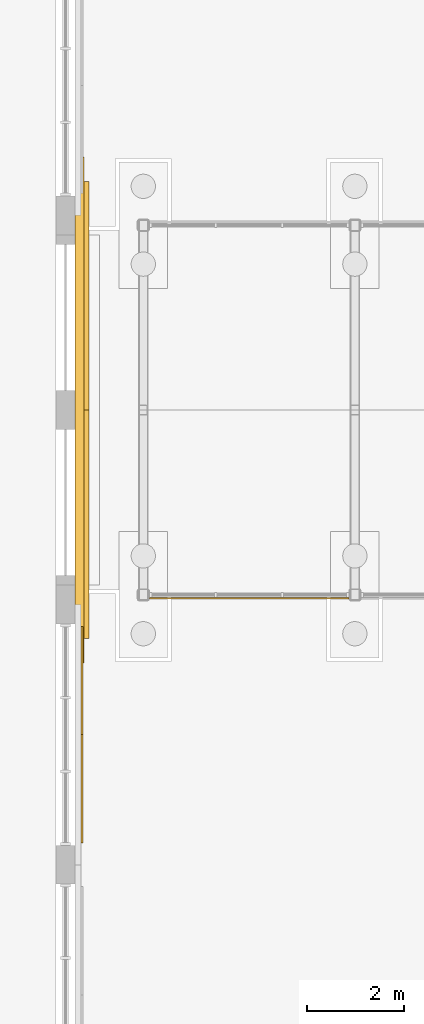
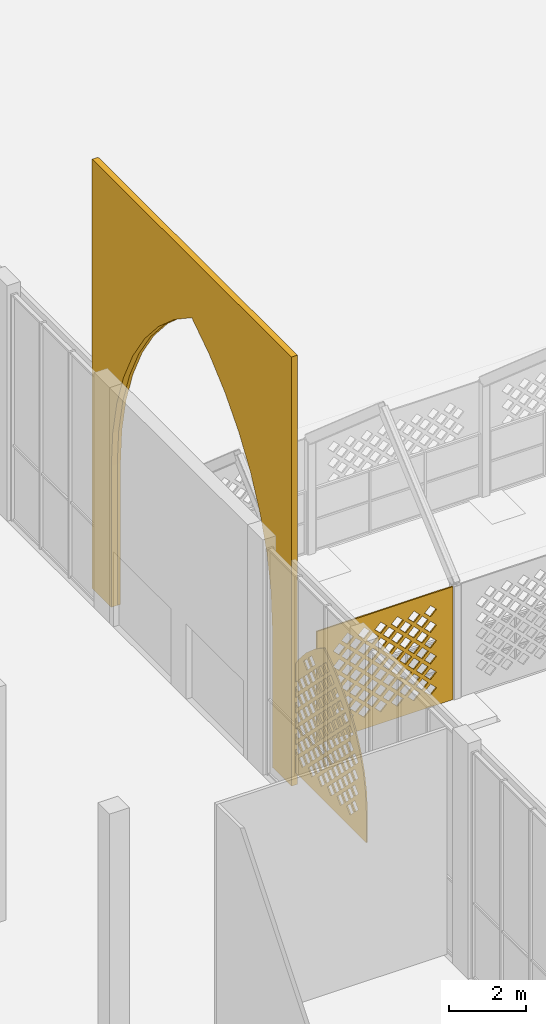
# One storey, part 59 of 79: 4 coverings.
"""IFC4 building model written with IfcOpenShell, lengths in metres."""

from ifc_helpers import new_model, si_unit, direction, frame, origin, place, context, subcontext, project, spatial, polyline, outline, extrude, material, layer, layer_set, type_object, element, save


model = new_model("IFC4")

# Units and contexts
model_context = context("Model", 3, precision=1e-05, world=origin(), true_north=direction((0.0, 1.0)))
body_context = subcontext(model_context, "Body", "Model", "MODEL_VIEW")
ifc_project = project(units=[si_unit("LENGTHUNIT", "METRE"), si_unit("AREAUNIT", "SQUARE_METRE"), si_unit("VOLUMEUNIT", "CUBIC_METRE"), si_unit("PLANEANGLEUNIT", "RADIAN"), si_unit("MASSUNIT", "GRAM", prefix="KILO")], contexts=[model_context])

# Site, building, storey
site_placement = place(None, origin())
site = spatial("IfcSite", under=ifc_project, at=site_placement, CompositionType="ELEMENT")
building_placement = place(site_placement, origin())
building = spatial("IfcBuilding", under=site, at=building_placement, Name="Noorbagh Ring Tower", CompositionType="ELEMENT")
storey_placement = place(building_placement, origin())
storey = spatial("IfcBuildingStorey", under=building, at=storey_placement, Name="L00", CompositionType="ELEMENT", Elevation=0.0)

# Coverings
ifc_material_1 = material(Name="Red sandstone jali", Category="masonry")
ifc_layer_1 = layer(ifc_material_1, 0.0400390625)
ifc_layer_set_1 = layer_set([ifc_layer_1], Name="Red sandstone jali")
covering_type_1 = type_object("IfcCoveringType", Name="AR-JALI", PredefinedType="USERDEFINED", material=ifc_layer_set_1)
covering_1_placement = place(storey_placement, frame((-93.47509765625, 1.110107421875, 0.0), z_axis=(0.0, -1.0, 0.0), x_axis=(1.0, 0.0, 0.0)))
element("IfcCovering", 1, at=covering_1_placement, inside=storey, type_object=covering_type_1, Name="Jali screen", ObjectType="SCREEN", PredefinedType="USERDEFINED", context=body_context, shape_type="SweptSolid", body=[
    extrude(outline(polyline([(0.0, 0.0), (4.10009765625, 0.0), (4.10009765625, 3.60009765625), (0.0, 3.60009765625), (0.0, 0.0)]), holes=[polyline([(0.7451171875, 0.550048828125), (0.925048828125, 0.3701171875), (1.10498046875, 0.550048828125), (0.925048828125, 0.72998046875), (0.7451171875, 0.550048828125)]), polyline([(1.2451171875, 0.550048828125), (1.425048828125, 0.3701171875), (1.60498046875, 0.550048828125), (1.425048828125, 0.72998046875), (1.2451171875, 0.550048828125)]), polyline([(1.7451171875, 0.550048828125), (1.925048828125, 0.3701171875), (2.10498046875, 0.550048828125), (1.925048828125, 0.72998046875), (1.7451171875, 0.550048828125)]), polyline([(2.2451171875, 0.550048828125), (2.425048828125, 0.3701171875), (2.60498046875, 0.550048828125), (2.425048828125, 0.72998046875), (2.2451171875, 0.550048828125)]), polyline([(2.7451171875, 0.550048828125), (2.925048828125, 0.3701171875), (3.10498046875, 0.550048828125), (2.925048828125, 0.72998046875), (2.7451171875, 0.550048828125)]), polyline([(3.2451171875, 0.550048828125), (3.425048828125, 0.3701171875), (3.60498046875, 0.550048828125), (3.425048828125, 0.72998046875), (3.2451171875, 0.550048828125)]), polyline([(0.4951171875, 0.800048828125), (0.675048828125, 0.6201171875), (0.85498046875, 0.800048828125), (0.675048828125, 0.97998046875), (0.4951171875, 0.800048828125)]), polyline([(0.9951171875, 0.800048828125), (1.175048828125, 0.6201171875), (1.35498046875, 0.800048828125), (1.175048828125, 0.97998046875), (0.9951171875, 0.800048828125)]), polyline([(1.4951171875, 0.800048828125), (1.675048828125, 0.6201171875), (1.85498046875, 0.800048828125), (1.675048828125, 0.97998046875), (1.4951171875, 0.800048828125)]), polyline([(1.9951171875, 0.800048828125), (2.175048828125, 0.6201171875), (2.35498046875, 0.800048828125), (2.175048828125, 0.97998046875), (1.9951171875, 0.800048828125)]), polyline([(2.4951171875, 0.800048828125), (2.675048828125, 0.6201171875), (2.85498046875, 0.800048828125), (2.675048828125, 0.97998046875), (2.4951171875, 0.800048828125)]), polyline([(2.9951171875, 0.800048828125), (3.175048828125, 0.6201171875), (3.35498046875, 0.800048828125), (3.175048828125, 0.97998046875), (2.9951171875, 0.800048828125)]), polyline([(0.7451171875, 1.050048828125), (0.925048828125, 0.8701171875), (1.10498046875, 1.050048828125), (0.925048828125, 1.22998046875), (0.7451171875, 1.050048828125)]), polyline([(1.2451171875, 1.050048828125), (1.425048828125, 0.8701171875), (1.60498046875, 1.050048828125), (1.425048828125, 1.22998046875), (1.2451171875, 1.050048828125)]), polyline([(1.7451171875, 1.050048828125), (1.925048828125, 0.8701171875), (2.10498046875, 1.050048828125), (1.925048828125, 1.22998046875), (1.7451171875, 1.050048828125)]), polyline([(2.2451171875, 1.050048828125), (2.425048828125, 0.8701171875), (2.60498046875, 1.050048828125), (2.425048828125, 1.22998046875), (2.2451171875, 1.050048828125)]), polyline([(2.7451171875, 1.050048828125), (2.925048828125, 0.8701171875), (3.10498046875, 1.050048828125), (2.925048828125, 1.22998046875), (2.7451171875, 1.050048828125)]), polyline([(3.2451171875, 1.050048828125), (3.425048828125, 0.8701171875), (3.60498046875, 1.050048828125), (3.425048828125, 1.22998046875), (3.2451171875, 1.050048828125)]), polyline([(0.4951171875, 1.300048828125), (0.675048828125, 1.1201171875), (0.85498046875, 1.300048828125), (0.675048828125, 1.47998046875), (0.4951171875, 1.300048828125)]), polyline([(0.9951171875, 1.300048828125), (1.175048828125, 1.1201171875), (1.35498046875, 1.300048828125), (1.175048828125, 1.47998046875), (0.9951171875, 1.300048828125)]), polyline([(1.4951171875, 1.300048828125), (1.675048828125, 1.1201171875), (1.85498046875, 1.300048828125), (1.675048828125, 1.47998046875), (1.4951171875, 1.300048828125)]), polyline([(1.9951171875, 1.300048828125), (2.175048828125, 1.1201171875), (2.35498046875, 1.300048828125), (2.175048828125, 1.47998046875), (1.9951171875, 1.300048828125)]), polyline([(2.4951171875, 1.300048828125), (2.675048828125, 1.1201171875), (2.85498046875, 1.300048828125), (2.675048828125, 1.47998046875), (2.4951171875, 1.300048828125)]), polyline([(2.9951171875, 1.300048828125), (3.175048828125, 1.1201171875), (3.35498046875, 1.300048828125), (3.175048828125, 1.47998046875), (2.9951171875, 1.300048828125)]), polyline([(0.7451171875, 1.550048828125), (0.925048828125, 1.3701171875), (1.10498046875, 1.550048828125), (0.925048828125, 1.72998046875), (0.7451171875, 1.550048828125)]), polyline([(1.2451171875, 1.550048828125), (1.425048828125, 1.3701171875), (1.60498046875, 1.550048828125), (1.425048828125, 1.72998046875), (1.2451171875, 1.550048828125)]), polyline([(1.7451171875, 1.550048828125), (1.925048828125, 1.3701171875), (2.10498046875, 1.550048828125), (1.925048828125, 1.72998046875), (1.7451171875, 1.550048828125)]), polyline([(2.2451171875, 1.550048828125), (2.425048828125, 1.3701171875), (2.60498046875, 1.550048828125), (2.425048828125, 1.72998046875), (2.2451171875, 1.550048828125)]), polyline([(2.7451171875, 1.550048828125), (2.925048828125, 1.3701171875), (3.10498046875, 1.550048828125), (2.925048828125, 1.72998046875), (2.7451171875, 1.550048828125)]), polyline([(3.2451171875, 1.550048828125), (3.425048828125, 1.3701171875), (3.60498046875, 1.550048828125), (3.425048828125, 1.72998046875), (3.2451171875, 1.550048828125)]), polyline([(0.4951171875, 1.800048828125), (0.675048828125, 1.6201171875), (0.85498046875, 1.800048828125), (0.675048828125, 1.97998046875), (0.4951171875, 1.800048828125)]), polyline([(0.9951171875, 1.800048828125), (1.175048828125, 1.6201171875), (1.35498046875, 1.800048828125), (1.175048828125, 1.97998046875), (0.9951171875, 1.800048828125)]), polyline([(1.4951171875, 1.800048828125), (1.675048828125, 1.6201171875), (1.85498046875, 1.800048828125), (1.675048828125, 1.97998046875), (1.4951171875, 1.800048828125)]), polyline([(1.9951171875, 1.800048828125), (2.175048828125, 1.6201171875), (2.35498046875, 1.800048828125), (2.175048828125, 1.97998046875), (1.9951171875, 1.800048828125)]), polyline([(2.4951171875, 1.800048828125), (2.675048828125, 1.6201171875), (2.85498046875, 1.800048828125), (2.675048828125, 1.97998046875), (2.4951171875, 1.800048828125)]), polyline([(2.9951171875, 1.800048828125), (3.175048828125, 1.6201171875), (3.35498046875, 1.800048828125), (3.175048828125, 1.97998046875), (2.9951171875, 1.800048828125)]), polyline([(0.7451171875, 2.050048828125), (0.925048828125, 1.8701171875), (1.10498046875, 2.050048828125), (0.925048828125, 2.22998046875), (0.7451171875, 2.050048828125)]), polyline([(1.2451171875, 2.050048828125), (1.425048828125, 1.8701171875), (1.60498046875, 2.050048828125), (1.425048828125, 2.22998046875), (1.2451171875, 2.050048828125)]), polyline([(1.7451171875, 2.050048828125), (1.925048828125, 1.8701171875), (2.10498046875, 2.050048828125), (1.925048828125, 2.22998046875), (1.7451171875, 2.050048828125)]), polyline([(2.2451171875, 2.050048828125), (2.425048828125, 1.8701171875), (2.60498046875, 2.050048828125), (2.425048828125, 2.22998046875), (2.2451171875, 2.050048828125)]), polyline([(2.7451171875, 2.050048828125), (2.925048828125, 1.8701171875), (3.10498046875, 2.050048828125), (2.925048828125, 2.22998046875), (2.7451171875, 2.050048828125)]), polyline([(3.2451171875, 2.050048828125), (3.425048828125, 1.8701171875), (3.60498046875, 2.050048828125), (3.425048828125, 2.22998046875), (3.2451171875, 2.050048828125)]), polyline([(0.4951171875, 2.300048828125), (0.675048828125, 2.1201171875), (0.85498046875, 2.300048828125), (0.675048828125, 2.47998046875), (0.4951171875, 2.300048828125)]), polyline([(0.9951171875, 2.300048828125), (1.175048828125, 2.1201171875), (1.35498046875, 2.300048828125), (1.175048828125, 2.47998046875), (0.9951171875, 2.300048828125)]), polyline([(1.4951171875, 2.300048828125), (1.675048828125, 2.1201171875), (1.85498046875, 2.300048828125), (1.675048828125, 2.47998046875), (1.4951171875, 2.300048828125)]), polyline([(1.9951171875, 2.300048828125), (2.175048828125, 2.1201171875), (2.35498046875, 2.300048828125), (2.175048828125, 2.47998046875), (1.9951171875, 2.300048828125)]), polyline([(2.4951171875, 2.300048828125), (2.675048828125, 2.1201171875), (2.85498046875, 2.300048828125), (2.675048828125, 2.47998046875), (2.4951171875, 2.300048828125)]), polyline([(2.9951171875, 2.300048828125), (3.175048828125, 2.1201171875), (3.35498046875, 2.300048828125), (3.175048828125, 2.47998046875), (2.9951171875, 2.300048828125)]), polyline([(0.7451171875, 2.550048828125), (0.925048828125, 2.3701171875), (1.10498046875, 2.550048828125), (0.925048828125, 2.72998046875), (0.7451171875, 2.550048828125)]), polyline([(1.2451171875, 2.550048828125), (1.425048828125, 2.3701171875), (1.60498046875, 2.550048828125), (1.425048828125, 2.72998046875), (1.2451171875, 2.550048828125)]), polyline([(1.7451171875, 2.550048828125), (1.925048828125, 2.3701171875), (2.10498046875, 2.550048828125), (1.925048828125, 2.72998046875), (1.7451171875, 2.550048828125)]), polyline([(2.2451171875, 2.550048828125), (2.425048828125, 2.3701171875), (2.60498046875, 2.550048828125), (2.425048828125, 2.72998046875), (2.2451171875, 2.550048828125)]), polyline([(2.7451171875, 2.550048828125), (2.925048828125, 2.3701171875), (3.10498046875, 2.550048828125), (2.925048828125, 2.72998046875), (2.7451171875, 2.550048828125)]), polyline([(3.2451171875, 2.550048828125), (3.425048828125, 2.3701171875), (3.60498046875, 2.550048828125), (3.425048828125, 2.72998046875), (3.2451171875, 2.550048828125)]), polyline([(0.4951171875, 2.800048828125), (0.675048828125, 2.6201171875), (0.85498046875, 2.800048828125), (0.675048828125, 2.97998046875), (0.4951171875, 2.800048828125)]), polyline([(0.9951171875, 2.800048828125), (1.175048828125, 2.6201171875), (1.35498046875, 2.800048828125), (1.175048828125, 2.97998046875), (0.9951171875, 2.800048828125)]), polyline([(1.4951171875, 2.800048828125), (1.675048828125, 2.6201171875), (1.85498046875, 2.800048828125), (1.675048828125, 2.97998046875), (1.4951171875, 2.800048828125)]), polyline([(1.9951171875, 2.800048828125), (2.175048828125, 2.6201171875), (2.35498046875, 2.800048828125), (2.175048828125, 2.97998046875), (1.9951171875, 2.800048828125)]), polyline([(2.4951171875, 2.800048828125), (2.675048828125, 2.6201171875), (2.85498046875, 2.800048828125), (2.675048828125, 2.97998046875), (2.4951171875, 2.800048828125)]), polyline([(2.9951171875, 2.800048828125), (3.175048828125, 2.6201171875), (3.35498046875, 2.800048828125), (3.175048828125, 2.97998046875), (2.9951171875, 2.800048828125)]), polyline([(0.7451171875, 3.050048828125), (0.925048828125, 2.8701171875), (1.10498046875, 3.050048828125), (0.925048828125, 3.22998046875), (0.7451171875, 3.050048828125)]), polyline([(1.2451171875, 3.050048828125), (1.425048828125, 2.8701171875), (1.60498046875, 3.050048828125), (1.425048828125, 3.22998046875), (1.2451171875, 3.050048828125)]), polyline([(1.7451171875, 3.050048828125), (1.925048828125, 2.8701171875), (2.10498046875, 3.050048828125), (1.925048828125, 3.22998046875), (1.7451171875, 3.050048828125)]), polyline([(2.2451171875, 3.050048828125), (2.425048828125, 2.8701171875), (2.60498046875, 3.050048828125), (2.425048828125, 3.22998046875), (2.2451171875, 3.050048828125)]), polyline([(2.7451171875, 3.050048828125), (2.925048828125, 2.8701171875), (3.10498046875, 3.050048828125), (2.925048828125, 3.22998046875), (2.7451171875, 3.050048828125)]), polyline([(3.2451171875, 3.050048828125), (3.425048828125, 2.8701171875), (3.60498046875, 3.050048828125), (3.425048828125, 3.22998046875), (3.2451171875, 3.050048828125)])]), origin(), (0.0, 0.0, -1.0), 0.0400390625),
])
ifc_material_2 = material(Name="Red sandstone cladding", Category="masonry")
ifc_layer_2 = layer(ifc_material_2, 0.179931640625)
ifc_layer_set_2 = layer_set([ifc_layer_2], Name="Red sandstone cladding")
covering_type_2 = type_object("IfcCoveringType", Name="STH-IWAN", PredefinedType="USERDEFINED", material=ifc_layer_set_2)
covering_2_placement = place(storey_placement, frame((-94.820068359375, -0.199951171875, 0.0), z_axis=(1.0, 0.0, 0.0), x_axis=(0.0, 1.0, 0.0)))
element("IfcCovering", 2, at=covering_2_placement, inside=storey, type_object=covering_type_2, Name="Iwan portal frame", ObjectType="ARCH", PredefinedType="USERDEFINED", context=body_context, shape_type="SweptSolid", body=[
    extrude(outline(polyline([(0.0, 0.0), (1.0, 0.0), (1.0, 4.5), (1.07177734375, 5.596435546875), (1.2861328125, 6.674072265625), (1.639404296875, 7.714599609375), (2.125244140625, 8.699951171875), (2.73583984375, 9.613525390625), (3.460205078125, 10.439697265625), (4.286376953125, 11.164306640625), (5.199951171875, 11.774658203125), (6.113525390625, 11.164306640625), (6.939697265625, 10.439697265625), (7.6640625, 9.613525390625), (8.274658203125, 8.699951171875), (8.760498046875, 7.714599609375), (9.11376953125, 6.674072265625), (9.328125, 5.596435546875), (9.39990234375, 4.5), (9.39990234375, 0.0), (10.39990234375, 0.0), (10.39990234375, 13.67431640625), (0.0, 13.67431640625), (0.0, 0.0)])), origin(), (0.0, 0.0, -1.0), 0.179931640625),
])
ifc_material_3 = material(Name="Red sandstone cladding", Category="masonry")
ifc_layer_3 = layer(ifc_material_3, 0.10009765625)
ifc_layer_set_3 = layer_set([ifc_layer_3], Name="Red sandstone cladding")
covering_type_3 = type_object("IfcCoveringType", Name="STH-IWAN-BAND", PredefinedType="USERDEFINED", material=ifc_layer_set_3)
covering_3_placement = place(storey_placement, frame((-94.719970703125, 0.300048828125, 0.0), z_axis=(1.0, 0.0, 0.0), x_axis=(0.0, 1.0, 0.0)))
element("IfcCovering", 3, at=covering_3_placement, inside=storey, type_object=covering_type_3, Name="Iwan arch band", ObjectType="ARCH", PredefinedType="USERDEFINED", context=body_context, shape_type="SweptSolid", body=[
    extrude(outline(polyline([(0.0, 0.0), (0.5, 0.0), (0.5, 4.5), (0.57177734375, 5.596435546875), (0.7861328125, 6.674072265625), (1.139404296875, 7.714599609375), (1.625244140625, 8.699951171875), (2.23583984375, 9.613525390625), (2.960205078125, 10.439697265625), (3.786376953125, 11.164306640625), (4.699951171875, 11.774658203125), (5.613525390625, 11.164306640625), (6.439697265625, 10.439697265625), (7.1640625, 9.613525390625), (7.774658203125, 8.699951171875), (8.260498046875, 7.714599609375), (8.61376953125, 6.674072265625), (8.828125, 5.596435546875), (8.89990234375, 4.5), (8.89990234375, 0.0), (9.39990234375, 0.0), (9.39990234375, 4.199951171875), (9.319580078125, 5.427001953125), (9.07958984375, 6.6328125), (8.6845703125, 7.797119140625), (8.140625, 8.89990234375), (7.45751953125, 9.92236328125), (6.646728515625, 10.8466796875), (5.722412109375, 11.657470703125), (4.699951171875, 12.340576171875), (3.677490234375, 11.657470703125), (2.753173828125, 10.8466796875), (1.9423828125, 9.92236328125), (1.25927734375, 8.89990234375), (0.71533203125, 7.797119140625), (0.3203125, 6.6328125), (0.080322265625, 5.427001953125), (0.0, 4.199951171875), (0.0, 0.0)])), origin(), (0.0, 0.0, -1.0), 0.10009765625),
])
ifc_material_4 = material(Name="Red sandstone jali", Category="masonry")
ifc_layer_4 = layer(ifc_material_4, 0.0400390625)
ifc_layer_set_4 = layer_set([ifc_layer_4], Name="Red sandstone jali")
covering_type_4 = type_object("IfcCoveringType", Name="STH-JALI", PredefinedType="USERDEFINED", material=ifc_layer_set_4)
covering_4_placement = place(storey_placement, frame((-94.840087890625, -3.89990234375, 0.39990234375), z_axis=(1.0, 0.0, 0.0), x_axis=(0.0, 1.0, 0.0)))
element("IfcCovering", 4, at=covering_4_placement, inside=storey, type_object=covering_type_4, Name="Jali screen", ObjectType="SCREEN", PredefinedType="USERDEFINED", context=body_context, shape_type="SweptSolid", body=[
    extrude(outline(polyline([(0.0, 0.0), (4.449951171875, 0.0), (4.449951171875, 1.0), (4.411865234375, 1.580810546875), (4.29833984375, 2.15185546875), (4.111083984375, 2.702880859375), (3.853759765625, 3.22509765625), (3.5302734375, 3.708984375), (3.146484375, 4.146728515625), (2.708984375, 4.530517578125), (2.224853515625, 4.85400390625), (1.740966796875, 4.530517578125), (1.30322265625, 4.146728515625), (0.91943359375, 3.708984375), (0.59619140625, 3.22509765625), (0.338623046875, 2.702880859375), (0.151611328125, 2.15185546875), (0.0380859375, 1.580810546875), (0.0, 1.0), (0.0, 0.0)]), holes=[polyline([(0.669921875, 0.552001953125), (0.85009765625, 0.371826171875), (1.030029296875, 0.552001953125), (0.85009765625, 0.73193359375), (0.669921875, 0.552001953125)]), polyline([(1.169921875, 0.552001953125), (1.35009765625, 0.371826171875), (1.530029296875, 0.552001953125), (1.35009765625, 0.73193359375), (1.169921875, 0.552001953125)]), polyline([(1.669921875, 0.552001953125), (1.85009765625, 0.371826171875), (2.030029296875, 0.552001953125), (1.85009765625, 0.73193359375), (1.669921875, 0.552001953125)]), polyline([(2.169921875, 0.552001953125), (2.35009765625, 0.371826171875), (2.530029296875, 0.552001953125), (2.35009765625, 0.73193359375), (2.169921875, 0.552001953125)]), polyline([(2.669921875, 0.552001953125), (2.85009765625, 0.371826171875), (3.030029296875, 0.552001953125), (2.85009765625, 0.73193359375), (2.669921875, 0.552001953125)]), polyline([(3.169921875, 0.552001953125), (3.35009765625, 0.371826171875), (3.530029296875, 0.552001953125), (3.35009765625, 0.73193359375), (3.169921875, 0.552001953125)]), polyline([(3.669921875, 0.552001953125), (3.85009765625, 0.371826171875), (4.030029296875, 0.552001953125), (3.85009765625, 0.73193359375), (3.669921875, 0.552001953125)]), polyline([(0.419921875, 0.802001953125), (0.60009765625, 0.621826171875), (0.780029296875, 0.802001953125), (0.60009765625, 0.98193359375), (0.419921875, 0.802001953125)]), polyline([(0.919921875, 0.802001953125), (1.10009765625, 0.621826171875), (1.280029296875, 0.802001953125), (1.10009765625, 0.98193359375), (0.919921875, 0.802001953125)]), polyline([(1.419921875, 0.802001953125), (1.60009765625, 0.621826171875), (1.780029296875, 0.802001953125), (1.60009765625, 0.98193359375), (1.419921875, 0.802001953125)]), polyline([(1.919921875, 0.802001953125), (2.10009765625, 0.621826171875), (2.280029296875, 0.802001953125), (2.10009765625, 0.98193359375), (1.919921875, 0.802001953125)]), polyline([(2.419921875, 0.802001953125), (2.60009765625, 0.621826171875), (2.780029296875, 0.802001953125), (2.60009765625, 0.98193359375), (2.419921875, 0.802001953125)]), polyline([(2.919921875, 0.802001953125), (3.10009765625, 0.621826171875), (3.280029296875, 0.802001953125), (3.10009765625, 0.98193359375), (2.919921875, 0.802001953125)]), polyline([(3.419921875, 0.802001953125), (3.60009765625, 0.621826171875), (3.780029296875, 0.802001953125), (3.60009765625, 0.98193359375), (3.419921875, 0.802001953125)]), polyline([(0.669921875, 1.052001953125), (0.85009765625, 0.871826171875), (1.030029296875, 1.052001953125), (0.85009765625, 1.23193359375), (0.669921875, 1.052001953125)]), polyline([(1.169921875, 1.052001953125), (1.35009765625, 0.871826171875), (1.530029296875, 1.052001953125), (1.35009765625, 1.23193359375), (1.169921875, 1.052001953125)]), polyline([(1.669921875, 1.052001953125), (1.85009765625, 0.871826171875), (2.030029296875, 1.052001953125), (1.85009765625, 1.23193359375), (1.669921875, 1.052001953125)]), polyline([(2.169921875, 1.052001953125), (2.35009765625, 0.871826171875), (2.530029296875, 1.052001953125), (2.35009765625, 1.23193359375), (2.169921875, 1.052001953125)]), polyline([(2.669921875, 1.052001953125), (2.85009765625, 0.871826171875), (3.030029296875, 1.052001953125), (2.85009765625, 1.23193359375), (2.669921875, 1.052001953125)]), polyline([(3.169921875, 1.052001953125), (3.35009765625, 0.871826171875), (3.530029296875, 1.052001953125), (3.35009765625, 1.23193359375), (3.169921875, 1.052001953125)]), polyline([(3.669921875, 1.052001953125), (3.85009765625, 0.871826171875), (4.030029296875, 1.052001953125), (3.85009765625, 1.23193359375), (3.669921875, 1.052001953125)]), polyline([(0.419921875, 1.302001953125), (0.60009765625, 1.121826171875), (0.780029296875, 1.302001953125), (0.60009765625, 1.48193359375), (0.419921875, 1.302001953125)]), polyline([(0.919921875, 1.302001953125), (1.10009765625, 1.121826171875), (1.280029296875, 1.302001953125), (1.10009765625, 1.48193359375), (0.919921875, 1.302001953125)]), polyline([(1.419921875, 1.302001953125), (1.60009765625, 1.121826171875), (1.780029296875, 1.302001953125), (1.60009765625, 1.48193359375), (1.419921875, 1.302001953125)]), polyline([(1.919921875, 1.302001953125), (2.10009765625, 1.121826171875), (2.280029296875, 1.302001953125), (2.10009765625, 1.48193359375), (1.919921875, 1.302001953125)]), polyline([(2.419921875, 1.302001953125), (2.60009765625, 1.121826171875), (2.780029296875, 1.302001953125), (2.60009765625, 1.48193359375), (2.419921875, 1.302001953125)]), polyline([(2.919921875, 1.302001953125), (3.10009765625, 1.121826171875), (3.280029296875, 1.302001953125), (3.10009765625, 1.48193359375), (2.919921875, 1.302001953125)]), polyline([(3.419921875, 1.302001953125), (3.60009765625, 1.121826171875), (3.780029296875, 1.302001953125), (3.60009765625, 1.48193359375), (3.419921875, 1.302001953125)]), polyline([(0.669921875, 1.552001953125), (0.85009765625, 1.371826171875), (1.030029296875, 1.552001953125), (0.85009765625, 1.73193359375), (0.669921875, 1.552001953125)]), polyline([(1.169921875, 1.552001953125), (1.35009765625, 1.371826171875), (1.530029296875, 1.552001953125), (1.35009765625, 1.73193359375), (1.169921875, 1.552001953125)]), polyline([(1.669921875, 1.552001953125), (1.85009765625, 1.371826171875), (2.030029296875, 1.552001953125), (1.85009765625, 1.73193359375), (1.669921875, 1.552001953125)]), polyline([(2.169921875, 1.552001953125), (2.35009765625, 1.371826171875), (2.530029296875, 1.552001953125), (2.35009765625, 1.73193359375), (2.169921875, 1.552001953125)]), polyline([(2.669921875, 1.552001953125), (2.85009765625, 1.371826171875), (3.030029296875, 1.552001953125), (2.85009765625, 1.73193359375), (2.669921875, 1.552001953125)]), polyline([(3.169921875, 1.552001953125), (3.35009765625, 1.371826171875), (3.530029296875, 1.552001953125), (3.35009765625, 1.73193359375), (3.169921875, 1.552001953125)]), polyline([(3.669921875, 1.552001953125), (3.85009765625, 1.371826171875), (4.030029296875, 1.552001953125), (3.85009765625, 1.73193359375), (3.669921875, 1.552001953125)]), polyline([(0.419921875, 1.802001953125), (0.60009765625, 1.621826171875), (0.780029296875, 1.802001953125), (0.60009765625, 1.98193359375), (0.419921875, 1.802001953125)]), polyline([(0.919921875, 1.802001953125), (1.10009765625, 1.621826171875), (1.280029296875, 1.802001953125), (1.10009765625, 1.98193359375), (0.919921875, 1.802001953125)]), polyline([(1.419921875, 1.802001953125), (1.60009765625, 1.621826171875), (1.780029296875, 1.802001953125), (1.60009765625, 1.98193359375), (1.419921875, 1.802001953125)]), polyline([(1.919921875, 1.802001953125), (2.10009765625, 1.621826171875), (2.280029296875, 1.802001953125), (2.10009765625, 1.98193359375), (1.919921875, 1.802001953125)]), polyline([(2.419921875, 1.802001953125), (2.60009765625, 1.621826171875), (2.780029296875, 1.802001953125), (2.60009765625, 1.98193359375), (2.419921875, 1.802001953125)]), polyline([(2.919921875, 1.802001953125), (3.10009765625, 1.621826171875), (3.280029296875, 1.802001953125), (3.10009765625, 1.98193359375), (2.919921875, 1.802001953125)]), polyline([(3.419921875, 1.802001953125), (3.60009765625, 1.621826171875), (3.780029296875, 1.802001953125), (3.60009765625, 1.98193359375), (3.419921875, 1.802001953125)]), polyline([(0.669921875, 2.052001953125), (0.85009765625, 1.871826171875), (1.030029296875, 2.052001953125), (0.85009765625, 2.23193359375), (0.669921875, 2.052001953125)]), polyline([(1.169921875, 2.052001953125), (1.35009765625, 1.871826171875), (1.530029296875, 2.052001953125), (1.35009765625, 2.23193359375), (1.169921875, 2.052001953125)]), polyline([(1.669921875, 2.052001953125), (1.85009765625, 1.871826171875), (2.030029296875, 2.052001953125), (1.85009765625, 2.23193359375), (1.669921875, 2.052001953125)]), polyline([(2.169921875, 2.052001953125), (2.35009765625, 1.871826171875), (2.530029296875, 2.052001953125), (2.35009765625, 2.23193359375), (2.169921875, 2.052001953125)]), polyline([(2.669921875, 2.052001953125), (2.85009765625, 1.871826171875), (3.030029296875, 2.052001953125), (2.85009765625, 2.23193359375), (2.669921875, 2.052001953125)]), polyline([(3.169921875, 2.052001953125), (3.35009765625, 1.871826171875), (3.530029296875, 2.052001953125), (3.35009765625, 2.23193359375), (3.169921875, 2.052001953125)]), polyline([(3.669921875, 2.052001953125), (3.85009765625, 1.871826171875), (4.030029296875, 2.052001953125), (3.85009765625, 2.23193359375), (3.669921875, 2.052001953125)]), polyline([(0.419921875, 2.302001953125), (0.60009765625, 2.121826171875), (0.780029296875, 2.302001953125), (0.60009765625, 2.48193359375), (0.419921875, 2.302001953125)]), polyline([(0.919921875, 2.302001953125), (1.10009765625, 2.121826171875), (1.280029296875, 2.302001953125), (1.10009765625, 2.48193359375), (0.919921875, 2.302001953125)]), polyline([(1.419921875, 2.302001953125), (1.60009765625, 2.121826171875), (1.780029296875, 2.302001953125), (1.60009765625, 2.48193359375), (1.419921875, 2.302001953125)]), polyline([(1.919921875, 2.302001953125), (2.10009765625, 2.121826171875), (2.280029296875, 2.302001953125), (2.10009765625, 2.48193359375), (1.919921875, 2.302001953125)]), polyline([(2.419921875, 2.302001953125), (2.60009765625, 2.121826171875), (2.780029296875, 2.302001953125), (2.60009765625, 2.48193359375), (2.419921875, 2.302001953125)]), polyline([(2.919921875, 2.302001953125), (3.10009765625, 2.121826171875), (3.280029296875, 2.302001953125), (3.10009765625, 2.48193359375), (2.919921875, 2.302001953125)]), polyline([(3.419921875, 2.302001953125), (3.60009765625, 2.121826171875), (3.780029296875, 2.302001953125), (3.60009765625, 2.48193359375), (3.419921875, 2.302001953125)]), polyline([(0.669921875, 2.552001953125), (0.85009765625, 2.371826171875), (1.030029296875, 2.552001953125), (0.85009765625, 2.73193359375), (0.669921875, 2.552001953125)]), polyline([(1.169921875, 2.552001953125), (1.35009765625, 2.371826171875), (1.530029296875, 2.552001953125), (1.35009765625, 2.73193359375), (1.169921875, 2.552001953125)]), polyline([(1.669921875, 2.552001953125), (1.85009765625, 2.371826171875), (2.030029296875, 2.552001953125), (1.85009765625, 2.73193359375), (1.669921875, 2.552001953125)]), polyline([(2.169921875, 2.552001953125), (2.35009765625, 2.371826171875), (2.530029296875, 2.552001953125), (2.35009765625, 2.73193359375), (2.169921875, 2.552001953125)]), polyline([(2.669921875, 2.552001953125), (2.85009765625, 2.371826171875), (3.030029296875, 2.552001953125), (2.85009765625, 2.73193359375), (2.669921875, 2.552001953125)]), polyline([(3.169921875, 2.552001953125), (3.35009765625, 2.371826171875), (3.530029296875, 2.552001953125), (3.35009765625, 2.73193359375), (3.169921875, 2.552001953125)]), polyline([(3.669921875, 2.552001953125), (3.85009765625, 2.371826171875), (4.030029296875, 2.552001953125), (3.85009765625, 2.73193359375), (3.669921875, 2.552001953125)]), polyline([(0.919921875, 2.802001953125), (1.10009765625, 2.621826171875), (1.280029296875, 2.802001953125), (1.10009765625, 2.98193359375), (0.919921875, 2.802001953125)]), polyline([(1.419921875, 2.802001953125), (1.60009765625, 2.621826171875), (1.780029296875, 2.802001953125), (1.60009765625, 2.98193359375), (1.419921875, 2.802001953125)]), polyline([(1.919921875, 2.802001953125), (2.10009765625, 2.621826171875), (2.280029296875, 2.802001953125), (2.10009765625, 2.98193359375), (1.919921875, 2.802001953125)]), polyline([(2.419921875, 2.802001953125), (2.60009765625, 2.621826171875), (2.780029296875, 2.802001953125), (2.60009765625, 2.98193359375), (2.419921875, 2.802001953125)]), polyline([(2.919921875, 2.802001953125), (3.10009765625, 2.621826171875), (3.280029296875, 2.802001953125), (3.10009765625, 2.98193359375), (2.919921875, 2.802001953125)]), polyline([(3.419921875, 2.802001953125), (3.60009765625, 2.621826171875), (3.780029296875, 2.802001953125), (3.60009765625, 2.98193359375), (3.419921875, 2.802001953125)]), polyline([(0.669921875, 3.052001953125), (0.85009765625, 2.871826171875), (1.030029296875, 3.052001953125), (0.85009765625, 3.23193359375), (0.669921875, 3.052001953125)]), polyline([(1.169921875, 3.052001953125), (1.35009765625, 2.871826171875), (1.530029296875, 3.052001953125), (1.35009765625, 3.23193359375), (1.169921875, 3.052001953125)]), polyline([(1.669921875, 3.052001953125), (1.85009765625, 2.871826171875), (2.030029296875, 3.052001953125), (1.85009765625, 3.23193359375), (1.669921875, 3.052001953125)]), polyline([(2.169921875, 3.052001953125), (2.35009765625, 2.871826171875), (2.530029296875, 3.052001953125), (2.35009765625, 3.23193359375), (2.169921875, 3.052001953125)]), polyline([(2.669921875, 3.052001953125), (2.85009765625, 2.871826171875), (3.030029296875, 3.052001953125), (2.85009765625, 3.23193359375), (2.669921875, 3.052001953125)]), polyline([(3.169921875, 3.052001953125), (3.35009765625, 2.871826171875), (3.530029296875, 3.052001953125), (3.35009765625, 3.23193359375), (3.169921875, 3.052001953125)]), polyline([(0.919921875, 3.302001953125), (1.10009765625, 3.121826171875), (1.280029296875, 3.302001953125), (1.10009765625, 3.48193359375), (0.919921875, 3.302001953125)]), polyline([(1.419921875, 3.302001953125), (1.60009765625, 3.121826171875), (1.780029296875, 3.302001953125), (1.60009765625, 3.48193359375), (1.419921875, 3.302001953125)]), polyline([(1.919921875, 3.302001953125), (2.10009765625, 3.121826171875), (2.280029296875, 3.302001953125), (2.10009765625, 3.48193359375), (1.919921875, 3.302001953125)]), polyline([(2.419921875, 3.302001953125), (2.60009765625, 3.121826171875), (2.780029296875, 3.302001953125), (2.60009765625, 3.48193359375), (2.419921875, 3.302001953125)]), polyline([(2.919921875, 3.302001953125), (3.10009765625, 3.121826171875), (3.280029296875, 3.302001953125), (3.10009765625, 3.48193359375), (2.919921875, 3.302001953125)]), polyline([(1.169921875, 3.552001953125), (1.35009765625, 3.371826171875), (1.530029296875, 3.552001953125), (1.35009765625, 3.73193359375), (1.169921875, 3.552001953125)]), polyline([(1.669921875, 3.552001953125), (1.85009765625, 3.371826171875), (2.030029296875, 3.552001953125), (1.85009765625, 3.73193359375), (1.669921875, 3.552001953125)]), polyline([(2.169921875, 3.552001953125), (2.35009765625, 3.371826171875), (2.530029296875, 3.552001953125), (2.35009765625, 3.73193359375), (2.169921875, 3.552001953125)]), polyline([(2.669921875, 3.552001953125), (2.85009765625, 3.371826171875), (3.030029296875, 3.552001953125), (2.85009765625, 3.73193359375), (2.669921875, 3.552001953125)]), polyline([(1.419921875, 3.802001953125), (1.60009765625, 3.621826171875), (1.780029296875, 3.802001953125), (1.60009765625, 3.98193359375), (1.419921875, 3.802001953125)]), polyline([(1.919921875, 3.802001953125), (2.10009765625, 3.621826171875), (2.280029296875, 3.802001953125), (2.10009765625, 3.98193359375), (1.919921875, 3.802001953125)]), polyline([(2.419921875, 3.802001953125), (2.60009765625, 3.621826171875), (2.780029296875, 3.802001953125), (2.60009765625, 3.98193359375), (2.419921875, 3.802001953125)]), polyline([(2.919921875, 3.802001953125), (3.10009765625, 3.621826171875), (3.280029296875, 3.802001953125), (3.10009765625, 3.98193359375), (2.919921875, 3.802001953125)]), polyline([(1.669921875, 4.052001953125), (1.85009765625, 3.871826171875), (2.030029296875, 4.052001953125), (1.85009765625, 4.23193359375), (1.669921875, 4.052001953125)]), polyline([(2.169921875, 4.052001953125), (2.35009765625, 3.871826171875), (2.530029296875, 4.052001953125), (2.35009765625, 4.23193359375), (2.169921875, 4.052001953125)]), polyline([(2.669921875, 4.052001953125), (2.85009765625, 3.871826171875), (3.030029296875, 4.052001953125), (2.85009765625, 4.23193359375), (2.669921875, 4.052001953125)]), polyline([(1.919921875, 4.302001953125), (2.10009765625, 4.121826171875), (2.280029296875, 4.302001953125), (2.10009765625, 4.48193359375), (1.919921875, 4.302001953125)])]), origin(), (0.0, 0.0, -1.0), 0.0400390625),
])

save(model, "model.ifc")
